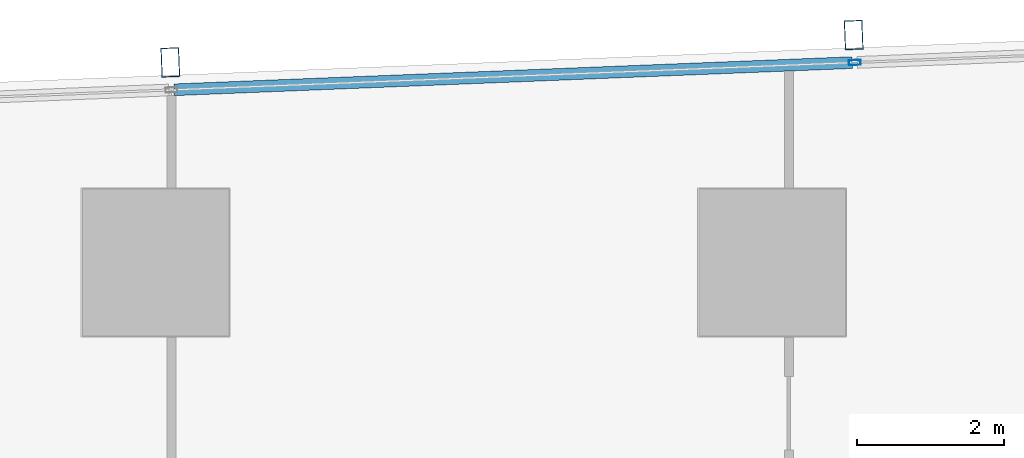
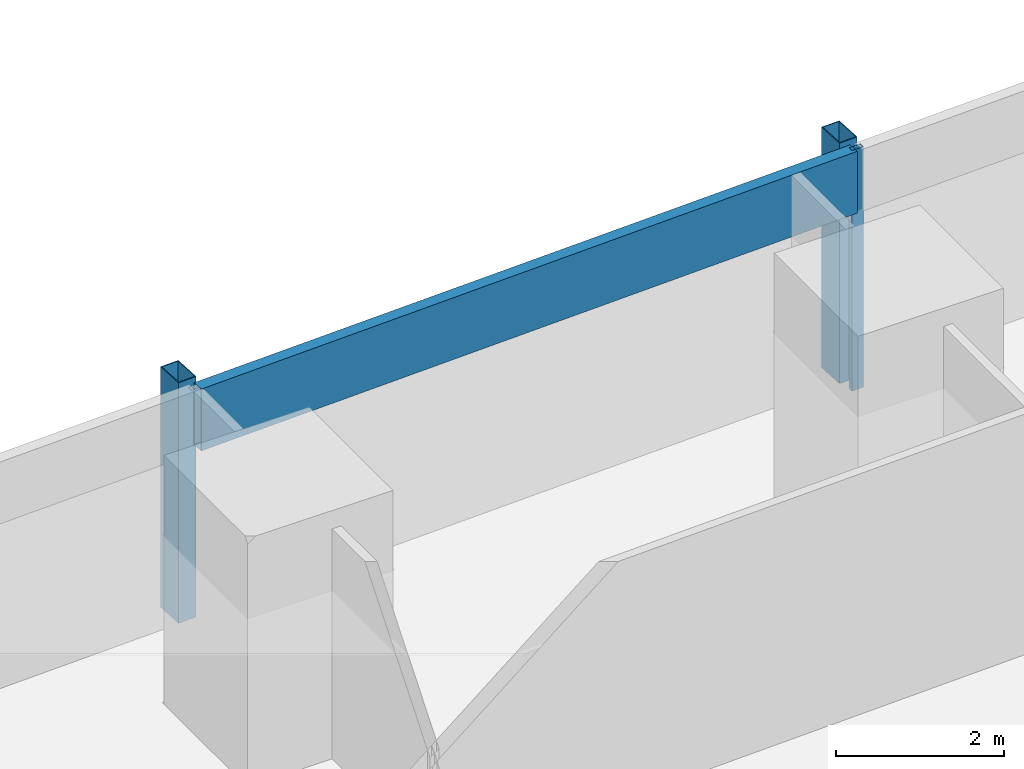
# One storey, part 17 of 39: 4 members, 1 element without a shape of its own.
"""IFC4 building model written with IfcOpenShell, lengths in metres."""

from ifc_helpers import new_model, si_unit, direction, frame, origin, origin_2d, place, context, subcontext, project, spatial, hollow_rectangle, extrude, material, material_profile, profile_set, type_object, element, aggregate, save


model = new_model("IFC4")

# Units and contexts
model_context = context("Model", 3, precision=1e-05, world=origin(), true_north=direction((0.0, 1.0)))
body_context = subcontext(model_context, "Body", "Model", "MODEL_VIEW")
ifc_project = project(units=[si_unit("LENGTHUNIT", "METRE"), si_unit("AREAUNIT", "SQUARE_METRE"), si_unit("VOLUMEUNIT", "CUBIC_METRE"), si_unit("PLANEANGLEUNIT", "RADIAN"), si_unit("MASSUNIT", "GRAM", prefix="KILO")], contexts=[model_context])

# Site, building, storey
site_placement = place(None, origin())
site = spatial("IfcSite", under=ifc_project, at=site_placement, CompositionType="ELEMENT")
building_placement = place(site_placement, origin())
building = spatial("IfcBuilding", under=site, at=building_placement, Name="Rekha Terrace Tower", CompositionType="ELEMENT")
storey_placement = place(building_placement, frame((0.0, 0.0, 147.800048828125)))
storey = spatial("IfcBuildingStorey", under=building, at=storey_placement, Name="L37", CompositionType="ELEMENT", Elevation=147.800048828125)

# Curtain wall, members
ifc_material_1 = material(Name="Aluminium framing", Category="aluminium")
curtain_wall_type = type_object("IfcCurtainWallType", Name="CW3 north unitised glazing", PredefinedType="USERDEFINED", material=ifc_material_1)
curtain_wall_placement = place(storey_placement, origin())
curtain_wall = element("IfcCurtainWall", 1, at=curtain_wall_placement, inside=storey, type_object=curtain_wall_type, Name="CW3 unitised curtain wall", ObjectType="UNITISED CURTAIN WALL", PredefinedType="USERDEFINED")
ifc_material_2 = material(Name="Steel S355 with fluorocarbon finish", Category="steel")
ifc_material_profile_1 = material_profile(ifc_material_2, hollow_rectangle(XDim=0.25, YDim=0.39990234375, WallThickness=0.012451171875, at=origin_2d()), Name="RHS400x250x12.5")
ifc_profile_set_1 = profile_set([ifc_material_profile_1], Name="Steel S355 with fluorocarbon finish")
member_type_1 = type_object("IfcMemberType", Name="BL1 facade blade RHS 400 x 250", PredefinedType="USERDEFINED", material=ifc_profile_set_1)
member_1_placement = place(storey_placement, frame((34.7109375, 61.9013671875, 0.0), z_axis=(0.0, 0.0, 1.0), x_axis=(-0.999198382632, -0.040032388711, 0.0)))
member_1 = element("IfcMember", 2, at=member_1_placement, type_object=member_type_1, Name="Facade blade", ObjectType="FACADE BLADE", PredefinedType="USERDEFINED", context=body_context, shape_type="SweptSolid", body=[
    extrude(hollow_rectangle(XDim=0.25, YDim=0.39990234375, WallThickness=0.012451171875, at=origin_2d()), origin(), (0.0, 0.0, 1.0), 3.5),
])
member_2_placement = place(storey_placement, frame((25.39892578125, 61.5283203125, 0.0), z_axis=(0.0, 0.0, 1.0), x_axis=(-0.999198382632, -0.040032388711, 0.0)))
member_2 = element("IfcMember", 3, at=member_2_placement, type_object=member_type_1, Name="Facade blade", ObjectType="FACADE BLADE", PredefinedType="USERDEFINED", context=body_context, shape_type="SweptSolid", body=[
    extrude(hollow_rectangle(XDim=0.25, YDim=0.39990234375, WallThickness=0.012451171875, at=origin_2d()), origin(), (0.0, 0.0, 1.0), 3.5),
])
ifc_material_3 = material(Name="Aluminium mullion section", Category="aluminium")
ifc_material_profile_2 = material_profile(ifc_material_3, hollow_rectangle(XDim=0.070068359375, YDim=0.159912109375, WallThickness=0.00390625, at=origin_2d()), Name="AL RHS 70x160")
ifc_profile_set_2 = profile_set([ifc_material_profile_2], Name="Aluminium mullion section")
member_type_2 = type_object("IfcMemberType", Name="CW3 mullion RHS 70 x 160", PredefinedType="MULLION", material=ifc_profile_set_2)
member_3_placement = place(storey_placement, frame((34.725830078125, 61.526611328125, 0.0), z_axis=(0.0, 0.0, 1.0), x_axis=(0.040031987119, -0.999198398721, 0.0)))
member_3 = element("IfcMember", 4, at=member_3_placement, type_object=member_type_2, Name="CW3 mullion 2", PredefinedType="MULLION", context=body_context, shape_type="SweptSolid", body=[
    extrude(hollow_rectangle(XDim=0.070068359375, YDim=0.159912109375, WallThickness=0.00390625, at=origin_2d()), origin(), (0.0, 0.0, 1.0), 3.5),
])
ifc_material_4 = material(Name="Insulated aluminium spandrel box", Category="aluminium")
ifc_material_profile_3 = material_profile(ifc_material_4, hollow_rectangle(XDim=0.159912109375, YDim=0.89990234375, WallThickness=0.0029296875, at=origin_2d()), Name="AL SPANDREL BOX 160x900")
ifc_profile_set_3 = profile_set([ifc_material_profile_3], Name="Insulated aluminium spandrel box")
member_type_3 = type_object("IfcMemberType", Name="CW3 spandrel transom 160 x 900", PredefinedType="USERDEFINED", material=ifc_profile_set_3)
member_4_placement = place(storey_placement, frame((34.69091796875, 61.525390625, 3.050048828125), z_axis=(-0.999198046754, -0.040040771263, 0.0), x_axis=(0.040040771263, -0.999198046754, 0.0)))
member_4 = element("IfcMember", 5, at=member_4_placement, type_object=member_type_3, Name="CW3 spandrel transom 2", ObjectType="TRANSOM", PredefinedType="USERDEFINED", context=body_context, shape_type="SweptSolid", body=[
    extrude(hollow_rectangle(XDim=0.159912109375, YDim=0.89990234375, WallThickness=0.0029296875, at=origin_2d()), origin(), (0.0, 0.0, 1.0), 9.24951171875),
])
aggregate(curtain_wall, [member_3, member_4, member_1, member_2])

save(model, "model.ifc")
